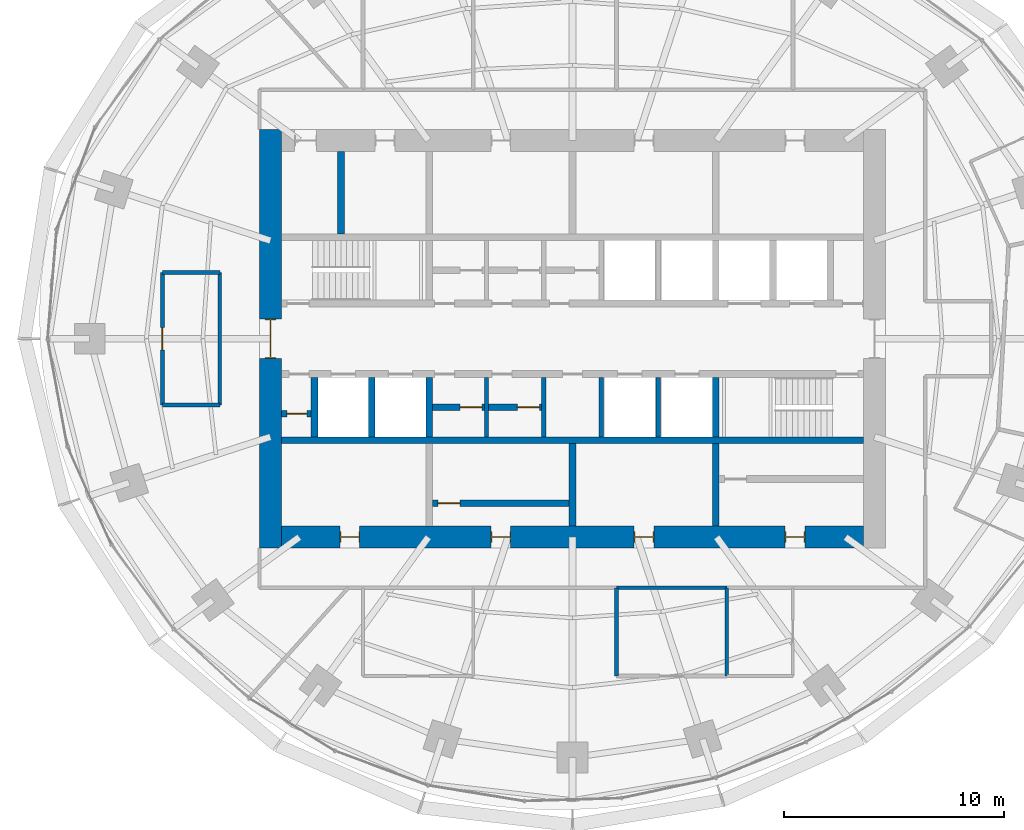
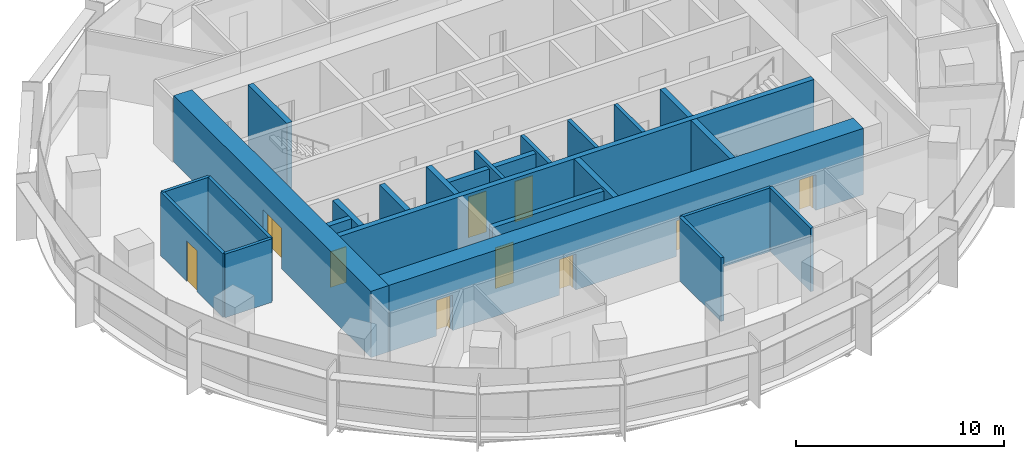
# One storey, part 10 of 15: 25 walls, 10 doors, 10 openings.
"""IFC4 building model written with IfcOpenShell, lengths in metres."""

from ifc_helpers import new_model, si_unit, direction, frame, frame_2d, origin, place, context, subcontext, project, spatial, rectangle, extrude, material, layer, layer_set, type_object, element, fill, save


model = new_model("IFC4")

# Units and contexts
model_context = context("Model", 3, precision=1e-05, world=origin(), true_north=direction((0.0, 1.0)))
body_context = subcontext(model_context, "Body", "Model", "MODEL_VIEW")
ifc_project = project(units=[si_unit("LENGTHUNIT", "METRE"), si_unit("AREAUNIT", "SQUARE_METRE"), si_unit("VOLUMEUNIT", "CUBIC_METRE"), si_unit("PLANEANGLEUNIT", "RADIAN"), si_unit("MASSUNIT", "GRAM", prefix="KILO")], contexts=[model_context])

# Site, building, storey
site_placement = place(None, origin())
site = spatial("IfcSite", under=ifc_project, at=site_placement, CompositionType="ELEMENT")
building_placement = place(site_placement, origin())
building = spatial("IfcBuilding", under=site, at=building_placement, Name="Marramba Exchange Tower", CompositionType="ELEMENT")
storey_placement = place(building_placement, frame((0.0, 0.0, 207.199951171875)))
storey = spatial("IfcBuildingStorey", under=building, at=storey_placement, Name="L50", CompositionType="ELEMENT", Elevation=207.199951171875)

# Walls
ifc_material_1 = material(Name="Plasterboard on staggered double steel studs, acoustic insulation", Category="steel")
ifc_layer_1 = layer(ifc_material_1, 0.169921875)
ifc_layer_set_1 = layer_set([ifc_layer_1], Name="Acoustic partition 170")
wall_type_1 = type_object("IfcWallType", Name="Acoustic partition 170", PredefinedType="PARTITIONING", material=ifc_layer_set_1)
wall_1_placement = place(storey_placement, frame((-16.0, -3.0, 0.0), z_axis=(0.0, 0.0, 1.0), x_axis=(-1.0, 0.0, 0.0)))
element("IfcWall", 1, at=wall_1_placement, inside=storey, type_object=wall_type_1, Name="Acoustic partition L50 01", PredefinedType="PARTITIONING", context=body_context, shape_type="SweptSolid", body=[
    extrude(rectangle(XDim=2.60009765625, YDim=0.169921875, at=frame_2d((1.300048828125, 0.0))), origin(), (0.0, 0.0, 1.0), 3.739990234375),
])
wall_2_placement = place(storey_placement, frame((2.0, -11.300048828125, 0.0), z_axis=(0.0, 0.0, 1.0), x_axis=(0.0, -1.0, 0.0)))
element("IfcWall", 2, at=wall_2_placement, inside=storey, type_object=wall_type_1, Name="Acoustic partition L50 08", PredefinedType="PARTITIONING", context=body_context, shape_type="SweptSolid", body=[
    extrude(rectangle(XDim=4.0, YDim=0.169921875, at=frame_2d((2.0, 0.0))), origin(), (0.0, 0.0, 1.0), 3.739990234375),
])
wall_3_placement = place(storey_placement, frame((7.0, -11.300048828125, 0.0), z_axis=(0.0, 0.0, 1.0), x_axis=(-1.0, 0.0, 0.0)))
element("IfcWall", 3, at=wall_3_placement, inside=storey, type_object=wall_type_1, Name="Acoustic partition L50 10", PredefinedType="PARTITIONING", context=body_context, shape_type="SweptSolid", body=[
    extrude(rectangle(XDim=5.0, YDim=0.169921875, at=frame_2d((2.5, 0.0))), origin(), (0.0, 0.0, 1.0), 3.739990234375),
])
wall_4_placement = place(storey_placement, frame((7.0, -11.300048828125, 0.0), z_axis=(0.0, 0.0, 1.0), x_axis=(0.0, -1.0, 0.0)))
element("IfcWall", 4, at=wall_4_placement, inside=storey, type_object=wall_type_1, Name="Acoustic partition L50 11", PredefinedType="PARTITIONING", context=body_context, shape_type="SweptSolid", body=[
    extrude(rectangle(XDim=4.0, YDim=0.169921875, at=frame_2d((2.0, 0.0))), origin(), (0.0, 0.0, 1.0), 3.739990234375),
])
wall_5_placement = place(storey_placement, frame((-18.60009765625, 3.0, 0.0), z_axis=(0.0, 0.0, 1.0), x_axis=(1.0, 0.0, 0.0)))
element("IfcWall", 5, at=wall_5_placement, inside=storey, type_object=wall_type_1, Name="Acoustic partition L50 43", PredefinedType="PARTITIONING", context=body_context, shape_type="SweptSolid", body=[
    extrude(rectangle(XDim=2.60009765625, YDim=0.169921875, at=frame_2d((1.300048828125, 0.0))), origin(), (0.0, 0.0, 1.0), 3.739990234375),
])

# Wall, opening, door
wall_6_placement = place(storey_placement, frame((-18.60009765625, -3.0, 0.0), z_axis=(0.0, 0.0, 1.0), x_axis=(0.0, 1.0, 0.0)))
wall_6 = element("IfcWall", 6, at=wall_6_placement, inside=storey, type_object=wall_type_1, Name="Acoustic partition L50 44", PredefinedType="PARTITIONING", context=body_context, shape_type="SweptSolid", body=[
    extrude(rectangle(XDim=6.0, YDim=0.169921875, at=frame_2d((3.0, 0.0))), origin(), (0.0, 0.0, 1.0), 3.739990234375),
])
opening_1_placement = place(wall_6_placement, frame((2.5, 0.0, 0.0)))
opening_1 = element("IfcOpeningElement", 7, at=opening_1_placement, cuts=wall_6, Name="Opening D9", PredefinedType="OPENING", context=body_context, shape_type="SweptSolid", body=[
    extrude(rectangle(XDim=1.0, YDim=2.39990234375, at=frame_2d((0.5, 1.199951171875))), frame((0.0, 0.094970703125, 0.0), z_axis=(0.0, -1.0, 0.0), x_axis=(1.0, 0.0, 0.0)), (0.0, 0.0, 1.0), 0.18994140625),
])
ifc_material_2 = material(Name="Timber door", Category="wood")
door_type_1 = type_object("IfcDoorType", Name="Room door 1000x2400", OperationType="SINGLE_SWING_LEFT", PredefinedType="DOOR", material=ifc_material_2)
door_1_placement = place(opening_1_placement, frame((1.0, 0.0, 0.0), z_axis=(0.0, 0.0, 1.0), x_axis=(-1.0, 0.0, 0.0)))
door_1 = element("IfcDoor", 8, at=door_1_placement, inside=storey, type_object=door_type_1, Name="D9 Quiet Room 2 L50", OperationType="SINGLE_SWING_RIGHT", OverallHeight=2.39990234375, OverallWidth=1.0, PredefinedType="DOOR", context=body_context, shape_type="SweptSolid", body=[
    extrude(rectangle(XDim=1.0, YDim=2.39990234375, at=frame_2d((0.5, 1.199951171875))), frame((0.0, 0.025146484375, 0.0), z_axis=(0.0, -1.0, 0.0), x_axis=(1.0, 0.0, 0.0)), (0.0, 0.0, 1.0), 0.050048828125),
])
fill(opening_1, door_1)

# Walls
wall_7_placement = place(storey_placement, frame((-16.0, 3.0, 0.0), z_axis=(0.0, 0.0, 1.0), x_axis=(0.0, -1.0, 0.0)))
element("IfcWall", 9, at=wall_7_placement, inside=storey, type_object=wall_type_1, Name="Acoustic partition L50 45", PredefinedType="PARTITIONING", context=body_context, shape_type="SweptSolid", body=[
    extrude(rectangle(XDim=6.0, YDim=0.169921875, at=frame_2d((3.0, 0.0))), origin(), (0.0, 0.0, 1.0), 3.739990234375),
])
ifc_material_3 = material(Name="Concrete N50", Category="concrete")
ifc_layer_2 = layer(ifc_material_3, 0.199951171875)
ifc_layer_set_2 = layer_set([ifc_layer_2], Name="Core shaft wall 200")
wall_type_2 = type_object("IfcWallType", Name="Core shaft wall 200", PredefinedType="SHEAR", material=ifc_layer_set_2)
for number, where, z_axis, x_axis, name in (
    (10, (-3.89990234375, -1.75, 0.0), (0.0, 0.0, 1.0), (0.0, -1.0, 0.0), "Core wall SHS1 L50"),
    (11, (-1.300048828125, -1.75, 0.0), (0.0, 0.0, 1.0), (0.0, -1.0, 0.0), "Core wall SHS2 L50"),
    (12, (1.300048828125, -1.75, 0.0), (0.0, 0.0, 1.0), (0.0, -1.0, 0.0), "Core wall SHS3 L50"),
    (13, (3.89990234375, -1.75, 0.0), (0.0, 0.0, 1.0), (0.0, -1.0, 0.0), "Core wall SHS4 L50"),
):
    element("IfcWall", number, at=place(storey_placement, frame(where, z_axis=z_axis, x_axis=x_axis)), inside=storey, type_object=wall_type_2, Name=name, PredefinedType="SHEAR", context=body_context, shape_type="SweptSolid", body=[
        extrude(rectangle(XDim=2.699951171875, YDim=0.199951171875, at=frame_2d((1.35009765625, 0.0))), origin(), (0.0, 0.0, 1.0), 3.900146484375),
    ])

# Wall, openings, doors
ifc_layer_3 = layer(ifc_material_3, 1.0)
ifc_layer_set_3 = layer_set([ifc_layer_3], Name="Core wall 1000")
wall_type_3 = type_object("IfcWallType", Name="Core wall 1000", PredefinedType="SHEAR", material=ifc_layer_set_3)
wall_8_placement = place(storey_placement, frame((-13.199951171875, -9.0, 0.0), z_axis=(0.0, 0.0, 1.0), x_axis=(1.0, 0.0, 0.0)))
wall_8 = element("IfcWall", 14, at=wall_8_placement, inside=storey, type_object=wall_type_3, Name="Core wall S L50", PredefinedType="SHEAR", context=body_context, shape_type="SweptSolid", body=[
    extrude(rectangle(XDim=26.39990234375, YDim=1.0, at=frame_2d((13.199951171875, 0.0))), origin(), (0.0, 0.0, 1.0), 3.900146484375),
])
opening_2_placement = place(wall_8_placement, frame((2.64990234375, 0.0, 0.0)))
opening_2 = element("IfcOpeningElement", 15, at=opening_2_placement, cuts=wall_8, Name="Opening D5", PredefinedType="OPENING", context=body_context, shape_type="SweptSolid", body=[
    extrude(rectangle(XDim=0.89990234375, YDim=2.10009765625, at=frame_2d((0.449951171875, 1.050048828125))), frame((0.0, 0.510009765625, 0.0), z_axis=(0.0, -1.0, 0.0), x_axis=(1.0, 0.0, 0.0)), (0.0, 0.0, 1.0), 1.02001953125),
])
opening_3_placement = place(wall_8_placement, frame((9.5, 0.0, 0.0)))
opening_3 = element("IfcOpeningElement", 16, at=opening_3_placement, cuts=wall_8, Name="Opening D5", PredefinedType="OPENING", context=body_context, shape_type="SweptSolid", body=[
    extrude(rectangle(XDim=0.89990234375, YDim=2.10009765625, at=frame_2d((0.449951171875, 1.050048828125))), frame((0.0, 0.510009765625, 0.0), z_axis=(0.0, -1.0, 0.0), x_axis=(1.0, 0.0, 0.0)), (0.0, 0.0, 1.0), 1.02001953125),
])
opening_4_placement = place(wall_8_placement, frame((16.0, 0.0, 0.0)))
opening_4 = element("IfcOpeningElement", 17, at=opening_4_placement, cuts=wall_8, Name="Opening D5", PredefinedType="OPENING", context=body_context, shape_type="SweptSolid", body=[
    extrude(rectangle(XDim=0.89990234375, YDim=2.10009765625, at=frame_2d((0.449951171875, 1.050048828125))), frame((0.0, 0.510009765625, 0.0), z_axis=(0.0, -1.0, 0.0), x_axis=(1.0, 0.0, 0.0)), (0.0, 0.0, 1.0), 1.02001953125),
])
opening_5_placement = place(wall_8_placement, frame((22.85009765625, 0.0, 0.0)))
opening_5 = element("IfcOpeningElement", 18, at=opening_5_placement, cuts=wall_8, Name="Opening D5", PredefinedType="OPENING", context=body_context, shape_type="SweptSolid", body=[
    extrude(rectangle(XDim=0.89990234375, YDim=2.10009765625, at=frame_2d((0.449951171875, 1.050048828125))), frame((0.0, 0.510009765625, 0.0), z_axis=(0.0, -1.0, 0.0), x_axis=(1.0, 0.0, 0.0)), (0.0, 0.0, 1.0), 1.02001953125),
])
ifc_material_4 = material(Name="Steel-framed door", Category="steel")
door_type_2 = type_object("IfcDoorType", Name="Service door 900x2100", OperationType="SINGLE_SWING_LEFT", PredefinedType="DOOR", material=ifc_material_4)
door_2_placement = place(opening_2_placement, origin())
door_2 = element("IfcDoor", 19, at=door_2_placement, inside=storey, type_object=door_type_2, Name="D5 ahu L50", OperationType="SINGLE_SWING_LEFT", OverallHeight=2.10009765625, OverallWidth=0.89990234375, PredefinedType="DOOR", context=body_context, shape_type="SweptSolid", body=[
    extrude(rectangle(XDim=0.81982421875, YDim=2.06005859375, at=frame_2d((0.449951171875, 1.030029296875))), frame((0.0, 0.02490234375, 0.0), z_axis=(0.0, -1.0, 0.0), x_axis=(1.0, 0.0, 0.0)), (0.0, 0.0, 1.0), 0.050048828125),
    extrude(rectangle(XDim=0.04, YDim=2.10009765625, at=frame_2d((0.02001953125, 1.050048828125))), frame((0.0, 0.25, 0.0), z_axis=(0.0, -1.0, 0.0), x_axis=(1.0, 0.0, 0.0)), (0.0, 0.0, 1.0), 0.5),
    extrude(rectangle(XDim=0.04, YDim=2.10009765625, at=frame_2d((0.8798828125, 1.050048828125))), frame((0.0, 0.25, 0.0), z_axis=(0.0, -1.0, 0.0), x_axis=(1.0, 0.0, 0.0)), (0.0, 0.0, 1.0), 0.5),
    extrude(rectangle(XDim=0.81982421875, YDim=0.04, at=frame_2d((0.449951171875, 2.080078125))), frame((0.0, 0.25, 0.0), z_axis=(0.0, -1.0, 0.0), x_axis=(1.0, 0.0, 0.0)), (0.0, 0.0, 1.0), 0.5),
])
fill(opening_2, door_2)
door_3_placement = place(opening_3_placement, origin())
door_3 = element("IfcDoor", 20, at=door_3_placement, inside=storey, type_object=door_type_2, Name="D5 store L50", OperationType="SINGLE_SWING_RIGHT", OverallHeight=2.10009765625, OverallWidth=0.89990234375, PredefinedType="DOOR", context=body_context, shape_type="SweptSolid", body=[
    extrude(rectangle(XDim=0.81982421875, YDim=2.06005859375, at=frame_2d((0.449951171875, 1.030029296875))), frame((0.0, 0.02490234375, 0.0), z_axis=(0.0, -1.0, 0.0), x_axis=(1.0, 0.0, 0.0)), (0.0, 0.0, 1.0), 0.050048828125),
    extrude(rectangle(XDim=0.04, YDim=2.10009765625, at=frame_2d((0.02001953125, 1.050048828125))), frame((0.0, 0.25, 0.0), z_axis=(0.0, -1.0, 0.0), x_axis=(1.0, 0.0, 0.0)), (0.0, 0.0, 1.0), 0.5),
    extrude(rectangle(XDim=0.04, YDim=2.10009765625, at=frame_2d((0.8798828125, 1.050048828125))), frame((0.0, 0.25, 0.0), z_axis=(0.0, -1.0, 0.0), x_axis=(1.0, 0.0, 0.0)), (0.0, 0.0, 1.0), 0.5),
    extrude(rectangle(XDim=0.81982421875, YDim=0.04, at=frame_2d((0.449951171875, 2.080078125))), frame((0.0, 0.25, 0.0), z_axis=(0.0, -1.0, 0.0), x_axis=(1.0, 0.0, 0.0)), (0.0, 0.0, 1.0), 0.5),
])
fill(opening_3, door_3)
door_4_placement = place(opening_4_placement, origin())
door_4 = element("IfcDoor", 21, at=door_4_placement, inside=storey, type_object=door_type_2, Name="D5 switch L50", OperationType="SINGLE_SWING_RIGHT", OverallHeight=2.10009765625, OverallWidth=0.89990234375, PredefinedType="DOOR", context=body_context, shape_type="SweptSolid", body=[
    extrude(rectangle(XDim=0.81982421875, YDim=2.06005859375, at=frame_2d((0.449951171875, 1.030029296875))), frame((0.0, 0.02490234375, 0.0), z_axis=(0.0, -1.0, 0.0), x_axis=(1.0, 0.0, 0.0)), (0.0, 0.0, 1.0), 0.050048828125),
    extrude(rectangle(XDim=0.04, YDim=2.10009765625, at=frame_2d((0.02001953125, 1.050048828125))), frame((0.0, 0.25, 0.0), z_axis=(0.0, -1.0, 0.0), x_axis=(1.0, 0.0, 0.0)), (0.0, 0.0, 1.0), 0.5),
    extrude(rectangle(XDim=0.04, YDim=2.10009765625, at=frame_2d((0.8798828125, 1.050048828125))), frame((0.0, 0.25, 0.0), z_axis=(0.0, -1.0, 0.0), x_axis=(1.0, 0.0, 0.0)), (0.0, 0.0, 1.0), 0.5),
    extrude(rectangle(XDim=0.81982421875, YDim=0.04, at=frame_2d((0.449951171875, 2.080078125))), frame((0.0, 0.25, 0.0), z_axis=(0.0, -1.0, 0.0), x_axis=(1.0, 0.0, 0.0)), (0.0, 0.0, 1.0), 0.5),
])
fill(opening_4, door_4)
door_5_placement = place(opening_5_placement, origin())
door_5 = element("IfcDoor", 22, at=door_5_placement, inside=storey, type_object=door_type_2, Name="D5 cstore L50", OperationType="SINGLE_SWING_RIGHT", OverallHeight=2.10009765625, OverallWidth=0.89990234375, PredefinedType="DOOR", context=body_context, shape_type="SweptSolid", body=[
    extrude(rectangle(XDim=0.81982421875, YDim=2.06005859375, at=frame_2d((0.449951171875, 1.030029296875))), frame((0.0, 0.02490234375, 0.0), z_axis=(0.0, -1.0, 0.0), x_axis=(1.0, 0.0, 0.0)), (0.0, 0.0, 1.0), 0.050048828125),
    extrude(rectangle(XDim=0.04, YDim=2.10009765625, at=frame_2d((0.02001953125, 1.050048828125))), frame((0.0, 0.25, 0.0), z_axis=(0.0, -1.0, 0.0), x_axis=(1.0, 0.0, 0.0)), (0.0, 0.0, 1.0), 0.5),
    extrude(rectangle(XDim=0.04, YDim=2.10009765625, at=frame_2d((0.8798828125, 1.050048828125))), frame((0.0, 0.25, 0.0), z_axis=(0.0, -1.0, 0.0), x_axis=(1.0, 0.0, 0.0)), (0.0, 0.0, 1.0), 0.5),
    extrude(rectangle(XDim=0.81982421875, YDim=0.04, at=frame_2d((0.449951171875, 2.080078125))), frame((0.0, 0.25, 0.0), z_axis=(0.0, -1.0, 0.0), x_axis=(1.0, 0.0, 0.0)), (0.0, 0.0, 1.0), 0.5),
])
fill(opening_5, door_5)

# Wall, opening, door
wall_9_placement = place(storey_placement, frame((-13.699951171875, 9.5, 0.0), z_axis=(0.0, 0.0, 1.0), x_axis=(0.0, -1.0, 0.0)))
wall_9 = element("IfcWall", 23, at=wall_9_placement, inside=storey, type_object=wall_type_3, Name="Core wall W L50", PredefinedType="SHEAR", context=body_context, shape_type="SweptSolid", body=[
    extrude(rectangle(XDim=19.0, YDim=1.0, at=frame_2d((9.5, 0.0))), origin(), (0.0, 0.0, 1.0), 3.900146484375),
])
opening_6_placement = place(wall_9_placement, frame((8.60009765625, 0.0, 0.0)))
opening_6 = element("IfcOpeningElement", 24, at=opening_6_placement, cuts=wall_9, Name="Opening D1", PredefinedType="OPENING", context=body_context, shape_type="SweptSolid", body=[
    extrude(rectangle(XDim=1.800048828125, YDim=2.39990234375, at=frame_2d((0.89990234375, 1.199951171875))), frame((0.0, 0.510009765625, 0.0), z_axis=(0.0, -1.0, 0.0), x_axis=(1.0, 0.0, 0.0)), (0.0, 0.0, 1.0), 1.02001953125),
])
door_type_3 = type_object("IfcDoorType", Name="Lobby exit door 1800x2400", OperationType="DOUBLE_DOOR_SINGLE_SWING", PredefinedType="DOOR", material=ifc_material_4)
door_6_placement = place(opening_6_placement, origin())
door_6 = element("IfcDoor", 25, at=door_6_placement, inside=storey, type_object=door_type_3, Name="D1 lobby exit west L50", OperationType="DOUBLE_DOOR_SINGLE_SWING", OverallHeight=2.39990234375, OverallWidth=1.800048828125, PredefinedType="DOOR", context=body_context, shape_type="SweptSolid", body=[
    extrude(rectangle(XDim=1.719970703125, YDim=2.35986328125, at=frame_2d((0.89990234375, 1.179931640625))), frame((0.0, 0.02490234375, 0.0), z_axis=(0.0, -1.0, 0.0), x_axis=(1.0, 0.0, 0.0)), (0.0, 0.0, 1.0), 0.050048828125),
    extrude(rectangle(XDim=0.04, YDim=2.39990234375, at=frame_2d((0.02001953125, 1.199951171875))), frame((0.0, 0.25, 0.0), z_axis=(0.0, -1.0, 0.0), x_axis=(1.0, 0.0, 0.0)), (0.0, 0.0, 1.0), 0.5),
    extrude(rectangle(XDim=0.04, YDim=2.39990234375, at=frame_2d((1.780029296875, 1.199951171875))), frame((0.0, 0.25, 0.0), z_axis=(0.0, -1.0, 0.0), x_axis=(1.0, 0.0, 0.0)), (0.0, 0.0, 1.0), 0.5),
    extrude(rectangle(XDim=1.719970703125, YDim=0.04, at=frame_2d((0.89990234375, 2.3798828125))), frame((0.0, 0.25, 0.0), z_axis=(0.0, -1.0, 0.0), x_axis=(1.0, 0.0, 0.0)), (0.0, 0.0, 1.0), 0.5),
])
fill(opening_6, door_6)

# Walls
ifc_layer_4 = layer(ifc_material_3, 0.300048828125)
ifc_layer_set_4 = layer_set([ifc_layer_4], Name="Core wall 300")
wall_type_4 = type_object("IfcWallType", Name="Core wall 300", PredefinedType="SHEAR", material=ifc_layer_set_4)
wall_10_placement = place(storey_placement, frame((-13.199951171875, -4.60009765625, 0.0), z_axis=(0.0, 0.0, 1.0), x_axis=(1.0, 0.0, 0.0)))
element("IfcWall", 26, at=wall_10_placement, inside=storey, type_object=wall_type_4, Name="Core wall BS L50", PredefinedType="SHEAR", context=body_context, shape_type="SweptSolid", body=[
    extrude(rectangle(XDim=26.39990234375, YDim=0.300048828125, at=frame_2d((13.199951171875, 0.0))), origin(), (0.0, 0.0, 1.0), 3.900146484375),
])
for number, where, z_axis, x_axis, name in (
    (27, (-6.5, -1.75, 0.0), (0.0, 0.0, 1.0), (0.0, -1.0, 0.0), "Core wall X0Sa L50"),
    (28, (6.5, -1.75, 0.0), (0.0, 0.0, 1.0), (0.0, -1.0, 0.0), "Core wall X1Sa L50"),
):
    element("IfcWall", number, at=place(storey_placement, frame(where, z_axis=z_axis, x_axis=x_axis)), inside=storey, type_object=wall_type_4, Name=name, PredefinedType="SHEAR", context=body_context, shape_type="SweptSolid", body=[
        extrude(rectangle(XDim=2.699951171875, YDim=0.300048828125, at=frame_2d((1.35009765625, 0.0))), origin(), (0.0, 0.0, 1.0), 3.900146484375),
    ])
for number, where, z_axis, x_axis, name in (
    (29, (6.5, -4.75, 0.0), (0.0, 0.0, 1.0), (0.0, -1.0, 0.0), "Core wall X1Sb L50"),
    (30, (0.0, -4.75, 0.0), (0.0, 0.0, 1.0), (0.0, -1.0, 0.0), "Core wall MS L50"),
    (31, (-10.5, 4.75, 0.0), (0.0, 0.0, 1.0), (0.0, 1.0, 0.0), "Core wall WD L50"),
):
    element("IfcWall", number, at=place(storey_placement, frame(where, z_axis=z_axis, x_axis=x_axis)), inside=storey, type_object=wall_type_4, Name=name, PredefinedType="SHEAR", context=body_context, shape_type="SweptSolid", body=[
        extrude(rectangle(XDim=3.75, YDim=0.300048828125, at=frame_2d((1.875, 0.0))), origin(), (0.0, 0.0, 1.0), 3.900146484375),
    ])
ifc_material_5 = material(Name="Core-filled concrete blockwork", Category="masonry")
ifc_layer_5 = layer(ifc_material_5, 0.300048828125)
ifc_layer_set_5 = layer_set([ifc_layer_5], Name="Lift shaft wall 300")
wall_type_5 = type_object("IfcWallType", Name="Lift shaft wall 300", PredefinedType="SOLIDWALL", material=ifc_layer_set_5)
for number, where, z_axis, x_axis, name in (
    (32, (-9.10009765625, -1.75, 0.0), (0.0, 0.0, 1.0), (0.0, -1.0, 0.0), "Lift shaft wall W1 L50"),
    (33, (-11.699951171875, -1.75, 0.0), (0.0, 0.0, 1.0), (0.0, -1.0, 0.0), "Lift shaft wall W2 L50"),
):
    element("IfcWall", number, at=place(storey_placement, frame(where, z_axis=z_axis, x_axis=x_axis)), inside=storey, type_object=wall_type_5, Name=name, PredefinedType="SOLIDWALL", context=body_context, shape_type="SweptSolid", body=[
        extrude(rectangle(XDim=2.699951171875, YDim=0.300048828125, at=frame_2d((1.35009765625, 0.0))), origin(), (0.0, 0.0, 1.0), 3.739990234375),
    ])

# Wall, opening, door
ifc_layer_6 = layer(ifc_material_5, 0.300048828125)
ifc_layer_set_6 = layer_set([ifc_layer_6], Name="Riser enclosure wall 300")
wall_type_6 = type_object("IfcWallType", Name="Riser enclosure wall 300", PredefinedType="SOLIDWALL", material=ifc_layer_set_6)
wall_11_placement = place(storey_placement, frame((-13.199951171875, -3.39990234375, 0.0), z_axis=(0.0, 0.0, 1.0), x_axis=(1.0, 0.0, 0.0)))
wall_11 = element("IfcWall", 34, at=wall_11_placement, inside=storey, type_object=wall_type_6, Name="Riser enclosure wall L50", PredefinedType="SOLIDWALL", context=body_context, shape_type="SweptSolid", body=[
    extrude(rectangle(XDim=1.349853515625, YDim=0.300048828125, at=frame_2d((0.6748046875, 0.0))), origin(), (0.0, 0.0, 1.0), 3.739990234375),
])
opening_7_placement = place(wall_11_placement, frame((0.25, 0.0, 0.0)))
opening_7 = element("IfcOpeningElement", 35, at=opening_7_placement, cuts=wall_11, Name="Opening D5", PredefinedType="OPENING", context=body_context, shape_type="SweptSolid", body=[
    extrude(rectangle(XDim=0.89990234375, YDim=2.10009765625, at=frame_2d((0.449951171875, 1.050048828125))), frame((0.0, 0.159912109375, 0.0), z_axis=(0.0, -1.0, 0.0), x_axis=(1.0, 0.0, 0.0)), (0.0, 0.0, 1.0), 0.320068359375),
])
door_7_placement = place(opening_7_placement, frame((0.89990234375, 0.0, 0.0), z_axis=(0.0, 0.0, 1.0), x_axis=(-1.0, 0.0, 0.0)))
door_7 = element("IfcDoor", 36, at=door_7_placement, inside=storey, type_object=door_type_2, Name="D5 electrical riser back L50", OperationType="SINGLE_SWING_LEFT", OverallHeight=2.10009765625, OverallWidth=0.89990234375, PredefinedType="DOOR", context=body_context, shape_type="SweptSolid", body=[
    extrude(rectangle(XDim=0.89990234375, YDim=2.10009765625, at=frame_2d((0.449951171875, 1.050048828125))), frame((0.0, 0.025146484375, 0.0), z_axis=(0.0, -1.0, 0.0), x_axis=(1.0, 0.0, 0.0)), (0.0, 0.0, 1.0), 0.050048828125),
])
fill(opening_7, door_7)

ifc_material_6 = material(Name="Plasterboard on steel studs, insulated, unrated", Category="steel")
ifc_layer_7 = layer(ifc_material_6, 0.300048828125)
ifc_layer_set_7 = layer_set([ifc_layer_7], Name="Store partition 300")
wall_type_7 = type_object("IfcWallType", Name="Store partition 300", PredefinedType="PARTITIONING", material=ifc_layer_set_7)
wall_12_placement = place(storey_placement, frame((-6.35009765625, -3.10009765625, 0.0), z_axis=(0.0, 0.0, 1.0), x_axis=(1.0, 0.0, 0.0)))
wall_12 = element("IfcWall", 37, at=wall_12_placement, inside=storey, type_object=wall_type_7, Name="Store partition L50 S1", PredefinedType="PARTITIONING", context=body_context, shape_type="SweptSolid", body=[
    extrude(rectangle(XDim=2.35009765625, YDim=0.300048828125, at=frame_2d((1.175048828125, 0.0))), origin(), (0.0, 0.0, 1.0), 3.739990234375),
])
opening_8_placement = place(wall_12_placement, frame((1.25, 0.0, 0.0)))
opening_8 = element("IfcOpeningElement", 38, at=opening_8_placement, cuts=wall_12, Name="Opening D9", PredefinedType="OPENING", context=body_context, shape_type="SweptSolid", body=[
    extrude(rectangle(XDim=1.0, YDim=2.39990234375, at=frame_2d((0.5, 1.199951171875))), frame((0.0, 0.159912109375, 0.0), z_axis=(0.0, -1.0, 0.0), x_axis=(1.0, 0.0, 0.0)), (0.0, 0.0, 1.0), 0.320068359375),
])
door_8_placement = place(opening_8_placement, origin())
door_8 = element("IfcDoor", 39, at=door_8_placement, inside=storey, type_object=door_type_1, Name="D9 store room S1 L50", OperationType="SINGLE_SWING_RIGHT", OverallHeight=2.39990234375, OverallWidth=1.0, PredefinedType="DOOR", context=body_context, shape_type="SweptSolid", body=[
    extrude(rectangle(XDim=1.0, YDim=2.39990234375, at=frame_2d((0.5, 1.199951171875))), frame((0.0, 0.02490234375, 0.0), z_axis=(0.0, -1.0, 0.0), x_axis=(1.0, 0.0, 0.0)), (0.0, 0.0, 1.0), 0.050048828125),
])
fill(opening_8, door_8)

wall_13_placement = place(storey_placement, frame((-3.800048828125, -3.10009765625, 0.0), z_axis=(0.0, 0.0, 1.0), x_axis=(1.0, 0.0, 0.0)))
wall_13 = element("IfcWall", 40, at=wall_13_placement, inside=storey, type_object=wall_type_7, Name="Store partition L50 S2", PredefinedType="PARTITIONING", context=body_context, shape_type="SweptSolid", body=[
    extrude(rectangle(XDim=2.400146484375, YDim=0.300048828125, at=frame_2d((1.2001953125, 0.0))), origin(), (0.0, 0.0, 1.0), 3.739990234375),
])
opening_9_placement = place(wall_13_placement, frame((1.300048828125, 0.0, 0.0)))
opening_9 = element("IfcOpeningElement", 41, at=opening_9_placement, cuts=wall_13, Name="Opening D9", PredefinedType="OPENING", context=body_context, shape_type="SweptSolid", body=[
    extrude(rectangle(XDim=1.0, YDim=2.39990234375, at=frame_2d((0.5, 1.199951171875))), frame((0.0, 0.159912109375, 0.0), z_axis=(0.0, -1.0, 0.0), x_axis=(1.0, 0.0, 0.0)), (0.0, 0.0, 1.0), 0.320068359375),
])
door_9_placement = place(opening_9_placement, origin())
door_9 = element("IfcDoor", 42, at=door_9_placement, inside=storey, type_object=door_type_1, Name="D9 store room S2 L50", OperationType="SINGLE_SWING_RIGHT", OverallHeight=2.39990234375, OverallWidth=1.0, PredefinedType="DOOR", context=body_context, shape_type="SweptSolid", body=[
    extrude(rectangle(XDim=1.0, YDim=2.39990234375, at=frame_2d((0.5, 1.199951171875))), frame((0.0, 0.02490234375, 0.0), z_axis=(0.0, -1.0, 0.0), x_axis=(1.0, 0.0, 0.0)), (0.0, 0.0, 1.0), 0.050048828125),
])
fill(opening_9, door_9)

wall_14_placement = place(storey_placement, frame((-6.35009765625, -7.4599609375, 0.0), z_axis=(0.0, 0.0, 1.0), x_axis=(1.0, 0.0, 0.0)))
wall_14 = element("IfcWall", 43, at=wall_14_placement, inside=storey, type_object=wall_type_7, Name="Store partition L50 store", PredefinedType="PARTITIONING", context=body_context, shape_type="SweptSolid", body=[
    extrude(rectangle(XDim=6.2001953125, YDim=0.300048828125, at=frame_2d((3.10009765625, 0.0))), origin(), (0.0, 0.0, 1.0), 3.739990234375),
])
opening_10_placement = place(wall_14_placement, frame((0.25, 0.0, 0.0)))
opening_10 = element("IfcOpeningElement", 44, at=opening_10_placement, cuts=wall_14, Name="Opening D9", PredefinedType="OPENING", context=body_context, shape_type="SweptSolid", body=[
    extrude(rectangle(XDim=1.0, YDim=2.39990234375, at=frame_2d((0.5, 1.199951171875))), frame((0.0, 0.159912109375, 0.0), z_axis=(0.0, -1.0, 0.0), x_axis=(1.0, 0.0, 0.0)), (0.0, 0.0, 1.0), 0.320068359375),
])
door_10_placement = place(opening_10_placement, frame((1.0, 0.0, 0.0), z_axis=(0.0, 0.0, 1.0), x_axis=(-1.0, 0.0, 0.0)))
door_10 = element("IfcDoor", 45, at=door_10_placement, inside=storey, type_object=door_type_1, Name="D9 stationery store L50", OperationType="SINGLE_SWING_RIGHT", OverallHeight=2.39990234375, OverallWidth=1.0, PredefinedType="DOOR", context=body_context, shape_type="SweptSolid", body=[
    extrude(rectangle(XDim=1.0, YDim=2.39990234375, at=frame_2d((0.5, 1.199951171875))), frame((0.0, 0.025146484375, 0.0), z_axis=(0.0, -1.0, 0.0), x_axis=(1.0, 0.0, 0.0)), (0.0, 0.0, 1.0), 0.050048828125),
])
fill(opening_10, door_10)

save(model, "model.ifc")
